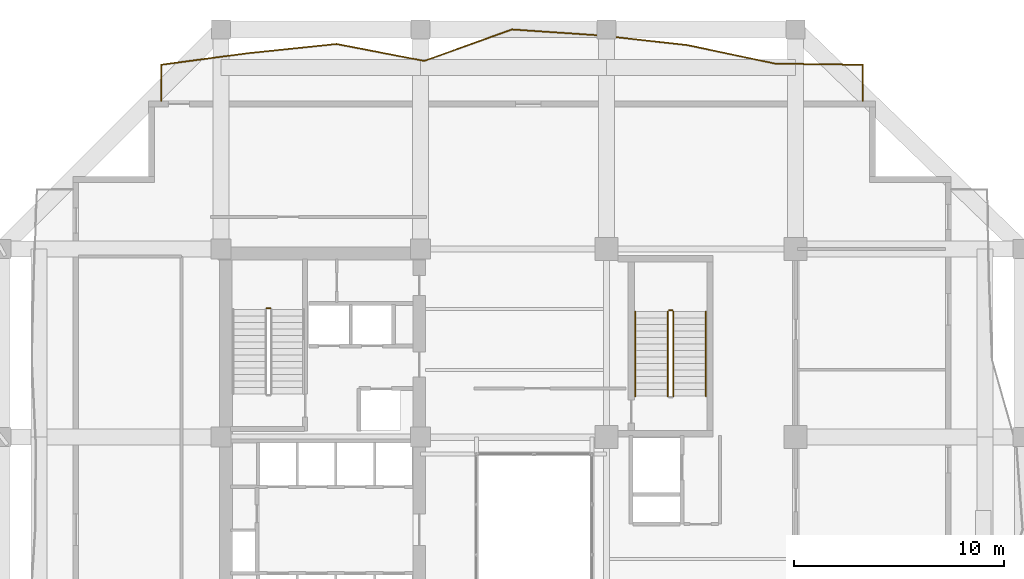
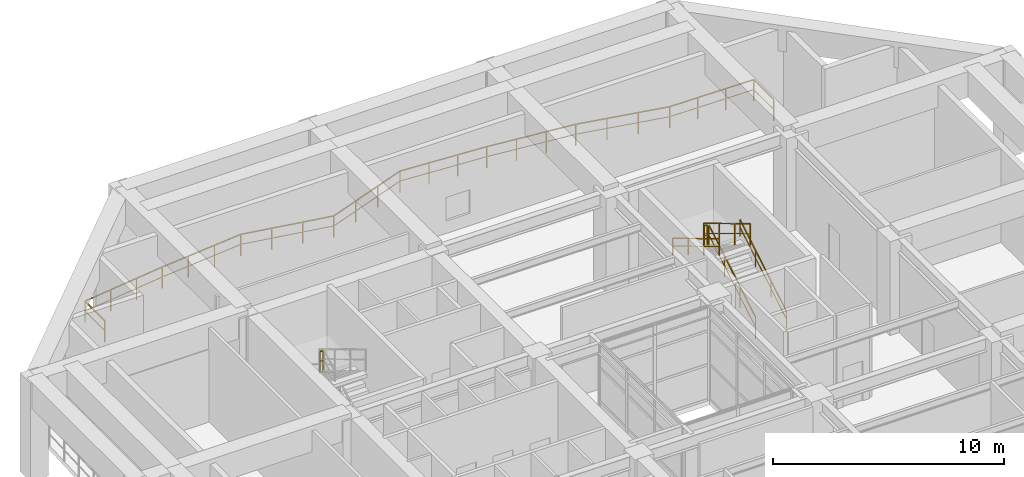
# One storey, part 12 of 13: 7 railings.
"""IFC4 building model written with IfcOpenShell, lengths in metres."""

from ifc_helpers import new_model, si_unit, direction, frame, origin, origin_2d, place, context, subcontext, project, spatial, rectangle, extrude, material, type_object, element, save


model = new_model("IFC4")

# Units and contexts
model_context = context("Model", 3, precision=1e-05, world=origin(), true_north=direction((0.0, 1.0)))
body_context = subcontext(model_context, "Body", "Model", "MODEL_VIEW")
ifc_project = project(units=[si_unit("LENGTHUNIT", "METRE"), si_unit("AREAUNIT", "SQUARE_METRE"), si_unit("VOLUMEUNIT", "CUBIC_METRE"), si_unit("PLANEANGLEUNIT", "RADIAN"), si_unit("MASSUNIT", "GRAM", prefix="KILO")], contexts=[model_context])

# Site, building, storey
site_placement = place(None, origin())
site = spatial("IfcSite", under=ifc_project, at=site_placement, CompositionType="ELEMENT")
building_placement = place(site_placement, origin())
building = spatial("IfcBuilding", under=site, at=building_placement, Name="Kundavana Baori Tower", CompositionType="ELEMENT")
storey_placement = place(building_placement, frame((0.0, 0.0, 98.800048828125)))
storey = spatial("IfcBuildingStorey", under=building, at=storey_placement, Name="L23", CompositionType="ELEMENT", Elevation=98.800048828125)

# Railings
ifc_material_1 = material(Name="Architectural Patinated Bronze Metalwork")
railing_type_1 = type_object("IfcRailingType", Name="RL-BAL-1150", PredefinedType="BALUSTRADE", material=ifc_material_1)
railing_1_placement = place(storey_placement, frame((12.60009765625, 49.0, 0.0)))
element("IfcRailing", 1, at=railing_1_placement, inside=storey, type_object=railing_type_1, Name="L23 Loggia Balcony Balustrade N", PredefinedType="BALUSTRADE", context=body_context, shape_type="SweptSolid", body=[
    extrude(rectangle(XDim=0.048095703125, YDim=0.048095703125, at=origin_2d()), frame((0.0, 0.0, 1.1259765625), z_axis=(0.0, 1.0, 0.0), x_axis=(-1.0, 0.0, 0.0)), (0.0, 0.0, 1.0), 1.719970703125),
    extrude(rectangle(XDim=0.03125, YDim=0.03125, at=origin_2d()), frame((0.0, 0.0, 0.597900390625), z_axis=(0.0, 1.0, 0.0), x_axis=(-1.0, 0.0, 0.0)), (0.0, 0.0, 1.0), 1.719970703125),
    extrude(rectangle(XDim=0.048095703125, YDim=0.048095703125, at=origin_2d()), frame((0.0, 1.719970703125, 1.1259765625), z_axis=(0.991280980438, 0.131765009856, 0.0), x_axis=(-0.131765009856, 0.991280980438, 0.0)), (0.0, 0.0, 1.0), 4.21142578125),
    extrude(rectangle(XDim=0.03125, YDim=0.03125, at=origin_2d()), frame((0.0, 1.719970703125, 0.597900390625), z_axis=(0.991280980438, 0.131765009856, 0.0), x_axis=(-0.131765009856, 0.991280980438, 0.0)), (0.0, 0.0, 1.0), 4.21142578125),
    extrude(rectangle(XDim=0.048095703125, YDim=0.048095703125, at=origin_2d()), frame((4.1748046875, 2.27490234375, 1.1259765625), z_axis=(0.994638493596, 0.103413089387, 0.0), x_axis=(-0.103413089387, 0.994638493596, 0.0)), (0.0, 0.0, 1.0), 4.197509765625),
    extrude(rectangle(XDim=0.03125, YDim=0.03125, at=origin_2d()), frame((4.1748046875, 2.27490234375, 0.597900390625), z_axis=(0.994638493596, 0.103413089387, 0.0), x_axis=(-0.103413089387, 0.994638493596, 0.0)), (0.0, 0.0, 1.0), 4.197509765625),
    extrude(rectangle(XDim=0.048095703125, YDim=0.048095703125, at=origin_2d()), frame((8.349853515625, 2.708984375, 1.1259765625), z_axis=(0.981831986932, -0.189752337104, 0.0), x_axis=(0.189752337104, 0.981831986932, 0.0)), (0.0, 0.0, 1.0), 4.252197265625),
    extrude(rectangle(XDim=0.03125, YDim=0.03125, at=origin_2d()), frame((8.349853515625, 2.708984375, 0.597900390625), z_axis=(0.981831986932, -0.189752337104, 0.0), x_axis=(0.189752337104, 0.981831986932, 0.0)), (0.0, 0.0, 1.0), 4.252197265625),
    extrude(rectangle(XDim=0.048095703125, YDim=0.048095703125, at=origin_2d()), frame((12.52490234375, 1.902099609375, 1.1259765625), z_axis=(0.941261522556, 0.337678465638, 0.0), x_axis=(-0.337678465638, 0.941261522556, 0.0)), (0.0, 0.0, 1.0), 4.435546875),
    extrude(rectangle(XDim=0.03125, YDim=0.03125, at=origin_2d()), frame((12.52490234375, 1.902099609375, 0.597900390625), z_axis=(0.941261522556, 0.337678465638, 0.0), x_axis=(-0.337678465638, 0.941261522556, 0.0)), (0.0, 0.0, 1.0), 4.435546875),
    extrude(rectangle(XDim=0.048095703125, YDim=0.048095703125, at=origin_2d()), frame((16.699951171875, 3.39990234375, 1.1259765625), z_axis=(0.997726953945, -0.067386388621, 0.0), x_axis=(0.067386388621, 0.997726953945, 0.0)), (0.0, 0.0, 1.0), 4.1845703125),
    extrude(rectangle(XDim=0.03125, YDim=0.03125, at=origin_2d()), frame((16.699951171875, 3.39990234375, 0.597900390625), z_axis=(0.997726953945, -0.067386388621, 0.0), x_axis=(0.067386388621, 0.997726953945, 0.0)), (0.0, 0.0, 1.0), 4.1845703125),
    extrude(rectangle(XDim=0.048095703125, YDim=0.048095703125, at=origin_2d()), frame((20.875, 3.117919921875, 1.1259765625), z_axis=(0.993934664973, -0.109972186323, 0.0), x_axis=(0.109972186323, 0.993934664973, 0.0)), (0.0, 0.0, 1.0), 4.2001953125),
    extrude(rectangle(XDim=0.03125, YDim=0.03125, at=origin_2d()), frame((20.875, 3.117919921875, 0.597900390625), z_axis=(0.993934664973, -0.109972186323, 0.0), x_axis=(0.109972186323, 0.993934664973, 0.0)), (0.0, 0.0, 1.0), 4.2001953125),
    extrude(rectangle(XDim=0.048095703125, YDim=0.048095703125, at=origin_2d()), frame((25.0498046875, 2.656005859375, 1.1259765625), z_axis=(0.978355717396, -0.206930157875, 0.0), x_axis=(0.206930157875, 0.978355717396, 0.0)), (0.0, 0.0, 1.0), 4.267333984375),
    extrude(rectangle(XDim=0.03125, YDim=0.03125, at=origin_2d()), frame((25.0498046875, 2.656005859375, 0.597900390625), z_axis=(0.978355717396, -0.206930157875, 0.0), x_axis=(0.206930157875, 0.978355717396, 0.0)), (0.0, 0.0, 1.0), 4.267333984375),
    extrude(rectangle(XDim=0.048095703125, YDim=0.048095703125, at=origin_2d()), frame((29.224853515625, 1.77294921875, 1.1259765625), z_axis=(0.999919500346, -0.012688294929, 0.0), x_axis=(0.012688294929, 0.999919500346, 0.0)), (0.0, 0.0, 1.0), 4.17529296875),
    extrude(rectangle(XDim=0.03125, YDim=0.03125, at=origin_2d()), frame((29.224853515625, 1.77294921875, 0.597900390625), z_axis=(0.999919500346, -0.012688294929, 0.0), x_axis=(0.012688294929, 0.999919500346, 0.0)), (0.0, 0.0, 1.0), 4.17529296875),
    extrude(rectangle(XDim=0.048095703125, YDim=0.048095703125, at=origin_2d()), frame((33.39990234375, 1.719970703125, 1.1259765625), z_axis=(0.0, -1.0, 0.0), x_axis=(1.0, 0.0, 0.0)), (0.0, 0.0, 1.0), 1.719970703125),
    extrude(rectangle(XDim=0.03125, YDim=0.03125, at=origin_2d()), frame((33.39990234375, 1.719970703125, 0.597900390625), z_axis=(0.0, -1.0, 0.0), x_axis=(1.0, 0.0, 0.0)), (0.0, 0.0, 1.0), 1.719970703125),
    extrude(rectangle(XDim=0.0419921875, YDim=0.0419921875, at=origin_2d()), origin(), (0.0, 0.0, 1.0), 1.101806640625),
    extrude(rectangle(XDim=0.0419921875, YDim=0.0419921875, at=origin_2d()), frame((0.0, 1.719970703125, 0.0)), (0.0, 0.0, 1.0), 1.101806640625),
    extrude(rectangle(XDim=0.0419921875, YDim=0.0419921875, at=origin_2d()), frame((1.3916015625, 1.905029296875, 0.0)), (0.0, 0.0, 1.0), 1.101806640625),
    extrude(rectangle(XDim=0.0419921875, YDim=0.0419921875, at=origin_2d()), frame((2.783203125, 2.08984375, 0.0)), (0.0, 0.0, 1.0), 1.101806640625),
    extrude(rectangle(XDim=0.0419921875, YDim=0.0419921875, at=origin_2d()), frame((4.1748046875, 2.27490234375, 0.0)), (0.0, 0.0, 1.0), 1.101806640625),
    extrude(rectangle(XDim=0.0419921875, YDim=0.0419921875, at=origin_2d()), frame((5.56640625, 2.419677734375, 0.0)), (0.0, 0.0, 1.0), 1.101806640625),
    extrude(rectangle(XDim=0.0419921875, YDim=0.0419921875, at=origin_2d()), frame((6.958251953125, 2.564208984375, 0.0)), (0.0, 0.0, 1.0), 1.101806640625),
    extrude(rectangle(XDim=0.0419921875, YDim=0.0419921875, at=origin_2d()), frame((8.349853515625, 2.708984375, 0.0)), (0.0, 0.0, 1.0), 1.101806640625),
    extrude(rectangle(XDim=0.0419921875, YDim=0.0419921875, at=origin_2d()), frame((9.741455078125, 2.43994140625, 0.0)), (0.0, 0.0, 1.0), 1.101806640625),
    extrude(rectangle(XDim=0.0419921875, YDim=0.0419921875, at=origin_2d()), frame((11.13330078125, 2.171142578125, 0.0)), (0.0, 0.0, 1.0), 1.101806640625),
    extrude(rectangle(XDim=0.0419921875, YDim=0.0419921875, at=origin_2d()), frame((12.52490234375, 1.902099609375, 0.0)), (0.0, 0.0, 1.0), 1.101806640625),
    extrude(rectangle(XDim=0.0419921875, YDim=0.0419921875, at=origin_2d()), frame((13.91650390625, 2.4013671875, 0.0)), (0.0, 0.0, 1.0), 1.101806640625),
    extrude(rectangle(XDim=0.0419921875, YDim=0.0419921875, at=origin_2d()), frame((15.308349609375, 2.900634765625, 0.0)), (0.0, 0.0, 1.0), 1.101806640625),
    extrude(rectangle(XDim=0.0419921875, YDim=0.0419921875, at=origin_2d()), frame((16.699951171875, 3.39990234375, 0.0)), (0.0, 0.0, 1.0), 1.101806640625),
    extrude(rectangle(XDim=0.0419921875, YDim=0.0419921875, at=origin_2d()), frame((18.091552734375, 3.305908203125, 0.0)), (0.0, 0.0, 1.0), 1.101806640625),
    extrude(rectangle(XDim=0.0419921875, YDim=0.0419921875, at=origin_2d()), frame((19.4833984375, 3.2119140625, 0.0)), (0.0, 0.0, 1.0), 1.101806640625),
    extrude(rectangle(XDim=0.0419921875, YDim=0.0419921875, at=origin_2d()), frame((20.875, 3.117919921875, 0.0)), (0.0, 0.0, 1.0), 1.101806640625),
    extrude(rectangle(XDim=0.0419921875, YDim=0.0419921875, at=origin_2d()), frame((22.2666015625, 2.9638671875, 0.0)), (0.0, 0.0, 1.0), 1.101806640625),
    extrude(rectangle(XDim=0.0419921875, YDim=0.0419921875, at=origin_2d()), frame((23.658203125, 2.81005859375, 0.0)), (0.0, 0.0, 1.0), 1.101806640625),
    extrude(rectangle(XDim=0.0419921875, YDim=0.0419921875, at=origin_2d()), frame((25.0498046875, 2.656005859375, 0.0)), (0.0, 0.0, 1.0), 1.101806640625),
    extrude(rectangle(XDim=0.0419921875, YDim=0.0419921875, at=origin_2d()), frame((26.44140625, 2.361572265625, 0.0)), (0.0, 0.0, 1.0), 1.101806640625),
    extrude(rectangle(XDim=0.0419921875, YDim=0.0419921875, at=origin_2d()), frame((27.833251953125, 2.0673828125, 0.0)), (0.0, 0.0, 1.0), 1.101806640625),
    extrude(rectangle(XDim=0.0419921875, YDim=0.0419921875, at=origin_2d()), frame((29.224853515625, 1.77294921875, 0.0)), (0.0, 0.0, 1.0), 1.101806640625),
    extrude(rectangle(XDim=0.0419921875, YDim=0.0419921875, at=origin_2d()), frame((30.616455078125, 1.75537109375, 0.0)), (0.0, 0.0, 1.0), 1.101806640625),
    extrude(rectangle(XDim=0.0419921875, YDim=0.0419921875, at=origin_2d()), frame((32.00830078125, 1.737548828125, 0.0)), (0.0, 0.0, 1.0), 1.101806640625),
    extrude(rectangle(XDim=0.0419921875, YDim=0.0419921875, at=origin_2d()), frame((33.39990234375, 1.719970703125, 0.0)), (0.0, 0.0, 1.0), 1.101806640625),
    extrude(rectangle(XDim=0.0419921875, YDim=0.0419921875, at=origin_2d()), frame((33.39990234375, 0.0, 0.0)), (0.0, 0.0, 1.0), 1.101806640625),
])
ifc_material_2 = material(Name="Architectural Patinated Bronze Metalwork")
railing_type_2 = type_object("IfcRailingType", Name="RL-GRD-1150", PredefinedType="GUARDRAIL", material=ifc_material_2)
railing_2_placement = place(storey_placement, frame((17.7900390625, 39.1298828125, 2.599853515625)))
element("IfcRailing", 2, at=railing_2_placement, inside=storey, type_object=railing_type_2, Name="L23 ST2 stair guard 2", PredefinedType="GUARDRAIL", context=body_context, shape_type="SweptSolid", body=[
    extrude(rectangle(XDim=0.048095703125, YDim=0.048095703125, at=origin_2d()), frame((0.0, 0.0, 1.1259765625), z_axis=(-1.0, 0.0, 0.0), x_axis=(0.0, -1.0, 0.0)), (0.0, 0.0, 1.0), 0.16015625),
    extrude(rectangle(XDim=0.03125, YDim=0.03125, at=origin_2d()), frame((0.0, 0.0, 0.597900390625), z_axis=(-1.0, 0.0, 0.0), x_axis=(0.0, -1.0, 0.0)), (0.0, 0.0, 1.0), 0.16015625),
    extrude(rectangle(XDim=0.0419921875, YDim=0.0419921875, at=origin_2d()), origin(), (0.0, 0.0, 1.0), 1.101806640625),
    extrude(rectangle(XDim=0.0419921875, YDim=0.0419921875, at=origin_2d()), frame((-0.16015625, 0.0, 0.0)), (0.0, 0.0, 1.0), 1.101806640625),
])
railing_3_placement = place(storey_placement, frame((36.97998046875, 34.949951171875, 0.185546875)))
element("IfcRailing", 3, at=railing_3_placement, inside=storey, type_object=railing_type_2, Name="L23 ST3 stair guard 1", PredefinedType="GUARDRAIL", context=body_context, shape_type="SweptSolid", body=[
    extrude(rectangle(XDim=0.048095703125, YDim=0.048095703125, at=origin_2d()), frame((0.0, 0.0, 1.1259765625), z_axis=(0.0, 0.857841222509, 0.51391481489), x_axis=(-1.0, 0.0, 0.0)), (0.0, 0.0, 1.0), 4.69775390625),
    extrude(rectangle(XDim=0.03125, YDim=0.03125, at=origin_2d()), frame((0.0, 0.0, 0.597900390625), z_axis=(0.0, 0.857841222509, 0.51391481489), x_axis=(-1.0, 0.0, 0.0)), (0.0, 0.0, 1.0), 4.69775390625),
    extrude(rectangle(XDim=0.0419921875, YDim=0.0419921875, at=origin_2d()), origin(), (0.0, 0.0, 1.0), 1.101806640625),
    extrude(rectangle(XDim=0.0419921875, YDim=0.0419921875, at=origin_2d()), frame((0.0, 1.34326171875, 0.8046875)), (0.0, 0.0, 1.0), 1.101806640625),
    extrude(rectangle(XDim=0.0419921875, YDim=0.0419921875, at=origin_2d()), frame((0.0, 2.686767578125, 1.609619140625)), (0.0, 0.0, 1.0), 1.101806640625),
    extrude(rectangle(XDim=0.0419921875, YDim=0.0419921875, at=origin_2d()), frame((0.0, 4.030029296875, 2.414306640625)), (0.0, 0.0, 1.0), 1.101806640625),
])
railing_4_placement = place(storey_placement, frame((36.929931640625, 39.030029296875, 2.599853515625)))
element("IfcRailing", 4, at=railing_4_placement, inside=storey, type_object=railing_type_2, Name="L23 ST3 stair guard 2", PredefinedType="GUARDRAIL", context=body_context, shape_type="SweptSolid", body=[
    extrude(rectangle(XDim=0.048095703125, YDim=0.048095703125, at=origin_2d()), frame((0.0, 0.0, 1.1259765625), z_axis=(-1.0, 0.0, 0.0), x_axis=(0.0, -1.0, 0.0)), (0.0, 0.0, 1.0), 0.159912109375),
    extrude(rectangle(XDim=0.03125, YDim=0.03125, at=origin_2d()), frame((0.0, 0.0, 0.597900390625), z_axis=(-1.0, 0.0, 0.0), x_axis=(0.0, -1.0, 0.0)), (0.0, 0.0, 1.0), 0.159912109375),
    extrude(rectangle(XDim=0.0419921875, YDim=0.0419921875, at=origin_2d()), origin(), (0.0, 0.0, 1.0), 1.101806640625),
    extrude(rectangle(XDim=0.0419921875, YDim=0.0419921875, at=origin_2d()), frame((-0.159912109375, 0.0, 0.0)), (0.0, 0.0, 1.0), 1.101806640625),
])
railing_5_placement = place(storey_placement, frame((36.719970703125, 38.97998046875, 2.78564453125)))
element("IfcRailing", 5, at=railing_5_placement, inside=storey, type_object=railing_type_2, Name="L23 ST3 stair guard 3", PredefinedType="GUARDRAIL", context=body_context, shape_type="SweptSolid", body=[
    extrude(rectangle(XDim=0.048095703125, YDim=0.048095703125, at=origin_2d()), frame((0.0, 0.0, 1.1259765625), z_axis=(0.0, -0.857841222509, 0.51391481489), x_axis=(1.0, 0.0, 0.0)), (0.0, 0.0, 1.0), 4.69775390625),
    extrude(rectangle(XDim=0.03125, YDim=0.03125, at=origin_2d()), frame((0.0, 0.0, 0.597900390625), z_axis=(0.0, -0.857841222509, 0.51391481489), x_axis=(1.0, 0.0, 0.0)), (0.0, 0.0, 1.0), 4.69775390625),
    extrude(rectangle(XDim=0.0419921875, YDim=0.0419921875, at=origin_2d()), origin(), (0.0, 0.0, 1.0), 1.101806640625),
    extrude(rectangle(XDim=0.0419921875, YDim=0.0419921875, at=origin_2d()), frame((0.0, -1.34326171875, 0.8046875)), (0.0, 0.0, 1.0), 1.101806640625),
    extrude(rectangle(XDim=0.0419921875, YDim=0.0419921875, at=origin_2d()), frame((0.0, -2.686767578125, 1.609619140625)), (0.0, 0.0, 1.0), 1.101806640625),
    extrude(rectangle(XDim=0.0419921875, YDim=0.0419921875, at=origin_2d()), frame((0.0, -4.030029296875, 2.414306640625)), (0.0, 0.0, 1.0), 1.101806640625),
])
ifc_material_3 = material(Name="Architectural Patinated Bronze Metalwork")
railing_type_3 = type_object("IfcRailingType", Name="RL-HND-920", PredefinedType="HANDRAIL", material=ifc_material_3)
railing_6_placement = place(storey_placement, frame((38.530029296875, 34.949951171875, 0.185546875)))
element("IfcRailing", 6, at=railing_6_placement, inside=storey, type_object=railing_type_3, Name="L23 ST3 stair handrail 1", PredefinedType="HANDRAIL", context=body_context, shape_type="SweptSolid", body=[
    extrude(rectangle(XDim=0.048095703125, YDim=0.048095703125, at=origin_2d()), frame((0.0, 0.0, 0.8759765625), z_axis=(0.0, 0.857841222509, 0.51391481489), x_axis=(-1.0, 0.0, 0.0)), (0.0, 0.0, 1.0), 4.69775390625),
    extrude(rectangle(XDim=0.03125, YDim=0.03125, at=origin_2d()), frame((0.0, 0.0, 0.468017578125), z_axis=(0.0, 0.857841222509, 0.51391481489), x_axis=(-1.0, 0.0, 0.0)), (0.0, 0.0, 1.0), 4.69775390625),
    extrude(rectangle(XDim=0.0419921875, YDim=0.0419921875, at=origin_2d()), origin(), (0.0, 0.0, 1.0), 0.851806640625),
    extrude(rectangle(XDim=0.0419921875, YDim=0.0419921875, at=origin_2d()), frame((0.0, 1.34326171875, 0.8046875)), (0.0, 0.0, 1.0), 0.851806640625),
    extrude(rectangle(XDim=0.0419921875, YDim=0.0419921875, at=origin_2d()), frame((0.0, 2.686767578125, 1.609619140625)), (0.0, 0.0, 1.0), 0.851806640625),
    extrude(rectangle(XDim=0.0419921875, YDim=0.0419921875, at=origin_2d()), frame((0.0, 4.030029296875, 2.414306640625)), (0.0, 0.0, 1.0), 0.851806640625),
])
railing_7_placement = place(storey_placement, frame((35.169921875, 38.97998046875, 2.78564453125)))
element("IfcRailing", 7, at=railing_7_placement, inside=storey, type_object=railing_type_3, Name="L23 ST3 stair handrail 2", PredefinedType="HANDRAIL", context=body_context, shape_type="SweptSolid", body=[
    extrude(rectangle(XDim=0.048095703125, YDim=0.048095703125, at=origin_2d()), frame((0.0, 0.0, 0.8759765625), z_axis=(0.0, -0.857841222509, 0.51391481489), x_axis=(1.0, 0.0, 0.0)), (0.0, 0.0, 1.0), 4.69775390625),
    extrude(rectangle(XDim=0.03125, YDim=0.03125, at=origin_2d()), frame((0.0, 0.0, 0.468017578125), z_axis=(0.0, -0.857841222509, 0.51391481489), x_axis=(1.0, 0.0, 0.0)), (0.0, 0.0, 1.0), 4.69775390625),
    extrude(rectangle(XDim=0.0419921875, YDim=0.0419921875, at=origin_2d()), origin(), (0.0, 0.0, 1.0), 0.851806640625),
    extrude(rectangle(XDim=0.0419921875, YDim=0.0419921875, at=origin_2d()), frame((0.0, -1.34326171875, 0.8046875)), (0.0, 0.0, 1.0), 0.851806640625),
    extrude(rectangle(XDim=0.0419921875, YDim=0.0419921875, at=origin_2d()), frame((0.0, -2.686767578125, 1.609619140625)), (0.0, 0.0, 1.0), 0.851806640625),
    extrude(rectangle(XDim=0.0419921875, YDim=0.0419921875, at=origin_2d()), frame((0.0, -4.030029296875, 2.414306640625)), (0.0, 0.0, 1.0), 0.851806640625),
])

save(model, "model.ifc")
